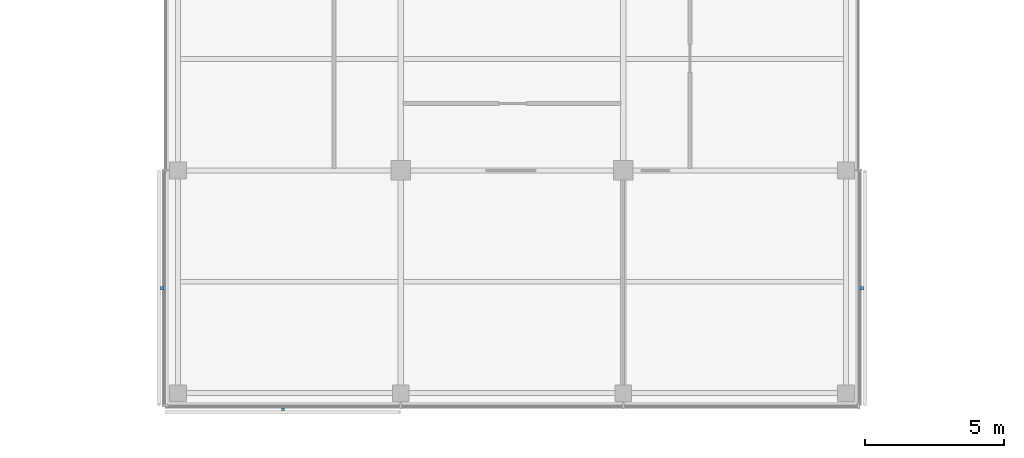
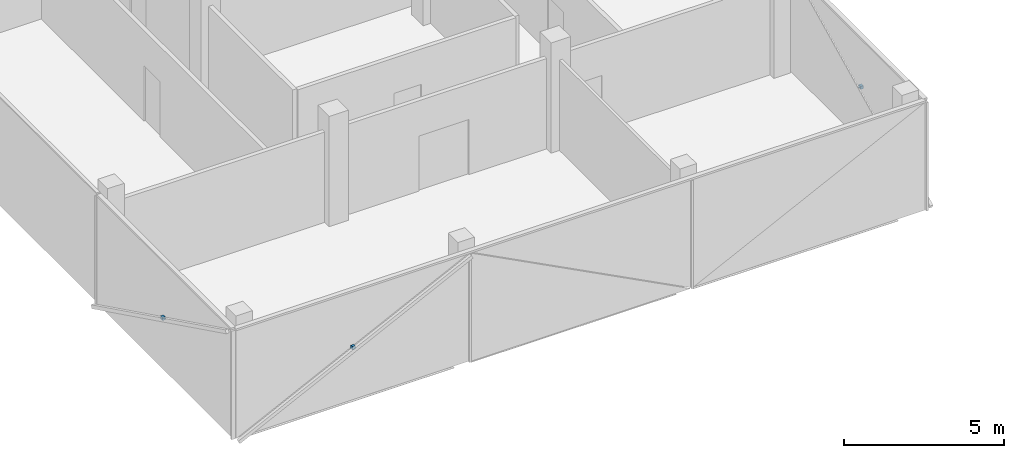
# One storey, part 13 of 15: 3 discrete accessories.
"""IFC4 building model written with IfcOpenShell, lengths in metres."""

from ifc_helpers import new_model, si_unit, direction, frame, origin, origin_2d, place, context, subcontext, project, spatial, rectangle, extrude, material, type_object, element, save


model = new_model("IFC4")

# Units and contexts
model_context = context("Model", 3, precision=1e-05, world=origin(), true_north=direction((0.0, 1.0)))
body_context = subcontext(model_context, "Body", "Model", "MODEL_VIEW")
ifc_project = project(units=[si_unit("LENGTHUNIT", "METRE"), si_unit("AREAUNIT", "SQUARE_METRE"), si_unit("VOLUMEUNIT", "CUBIC_METRE"), si_unit("PLANEANGLEUNIT", "RADIAN"), si_unit("MASSUNIT", "GRAM", prefix="KILO")], contexts=[model_context])

# Site, building, storey
site_placement = place(None, origin())
site = spatial("IfcSite", under=ifc_project, at=site_placement, CompositionType="ELEMENT")
building_placement = place(site_placement, origin())
building = spatial("IfcBuilding", under=site, at=building_placement, Name="Crosswind Convention Tower", CompositionType="ELEMENT")
storey_placement = place(building_placement, frame((0.0, 0.0, 257.699951171875)))
storey = spatial("IfcBuildingStorey", under=building, at=storey_placement, Name="L55", CompositionType="ELEMENT", Elevation=257.699951171875)

# Discrete accessories
ifc_material = material(Name="Stainless steel", Category="steel")
discrete_accessory_type = type_object("IfcDiscreteAccessoryType", Name="BAGUETTE BRACKET BK3", PredefinedType="BRACKET", material=ifc_material)
for number, where, z_axis, x_axis, name in (
    (1, (112.424072265625, 75.77001953125, 1.705078125), (0.0, 0.0, 1.0), (0.0, -1.0, 0.0), "BK3 baguette bracket"),
    (2, (116.77001953125, 71.424072265625, 1.705078125), (0.0, 0.0, 1.0), (1.0, 0.0, 0.0), "BK3 baguette bracket"),
    (3, (137.575927734375, 75.77001953125, 1.705078125), (0.0, 0.0, 1.0), (0.0, 1.0, 0.0), "BK3 baguette bracket"),
):
    element("IfcDiscreteAccessory", number, at=place(storey_placement, frame(where, z_axis=z_axis, x_axis=x_axis)), inside=storey, type_object=discrete_accessory_type, Name=name, PredefinedType="BRACKET", context=body_context, shape_type="SweptSolid", body=[
        extrude(rectangle(XDim=0.1201171875, YDim=0.10009765625, at=origin_2d()), origin(), (0.0, 0.0, 1.0), 0.1201171875),
    ])

save(model, "model.ifc")
